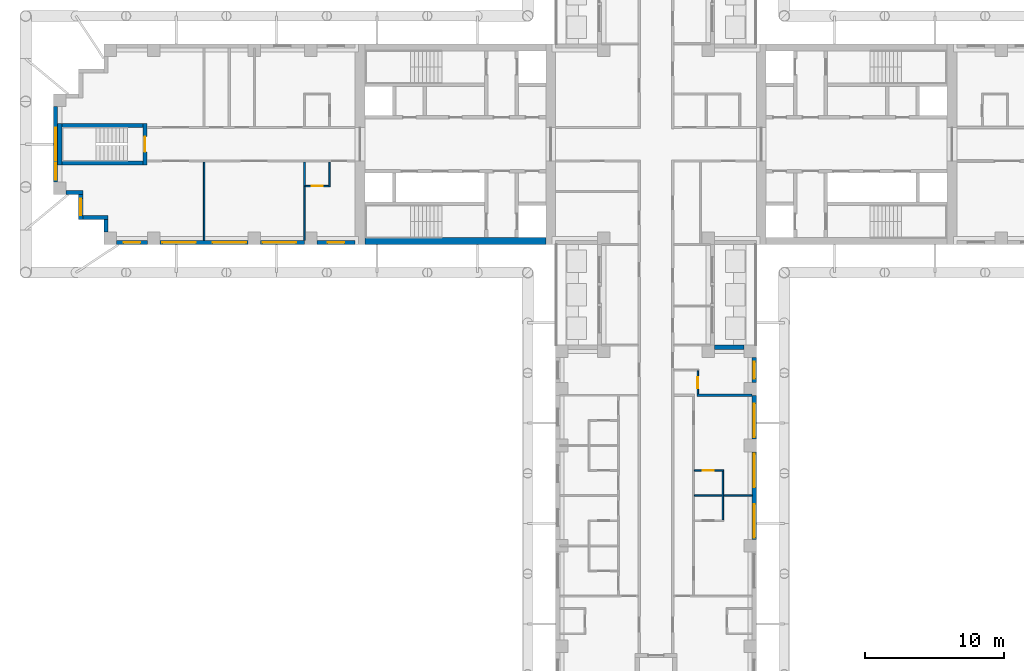
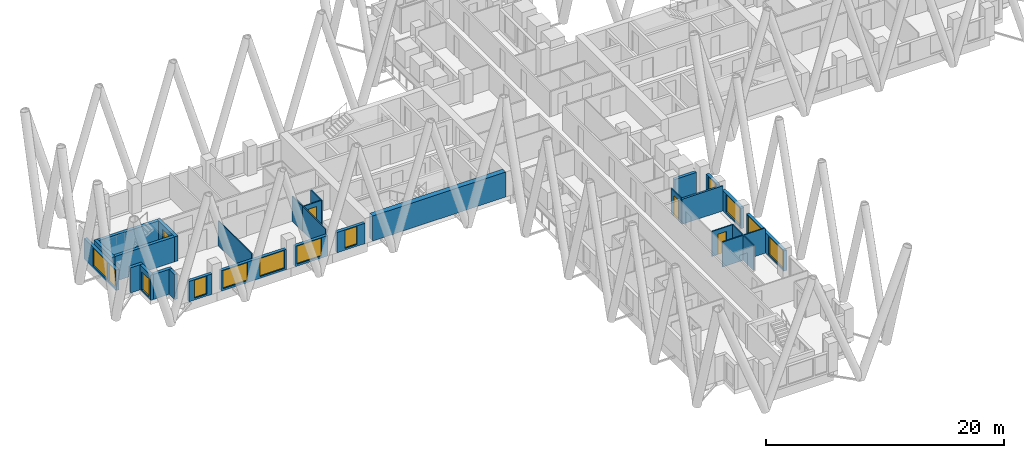
# One storey, part 5 of 14: 28 walls, 12 windows, 4 doors, 16 openings.
"""IFC4 building model written with IfcOpenShell, lengths in metres."""

from ifc_helpers import new_model, si_unit, direction, frame, frame_2d, origin, place, context, subcontext, project, spatial, rectangle, extrude, material, layer, layer_set, type_object, element, fill, save


model = new_model("IFC4")

# Units and contexts
model_context = context("Model", 3, precision=1e-05, world=origin(), true_north=direction((0.0, 1.0)))
body_context = subcontext(model_context, "Body", "Model", "MODEL_VIEW")
ifc_project = project(units=[si_unit("LENGTHUNIT", "METRE"), si_unit("AREAUNIT", "SQUARE_METRE"), si_unit("VOLUMEUNIT", "CUBIC_METRE"), si_unit("PLANEANGLEUNIT", "RADIAN"), si_unit("MASSUNIT", "GRAM", prefix="KILO")], contexts=[model_context])

# Site, building, storey
site_placement = place(None, origin())
site = spatial("IfcSite", under=ifc_project, at=site_placement, CompositionType="ELEMENT")
building_placement = place(site_placement, origin())
building = spatial("IfcBuilding", under=site, at=building_placement, Name="Fustian Cross Tower", CompositionType="ELEMENT")
storey_placement = place(building_placement, frame((0.0, 0.0, 90.89990234375)))
storey = spatial("IfcBuildingStorey", under=building, at=storey_placement, Name="L28", CompositionType="ELEMENT", Elevation=90.89990234375)

# Walls
ifc_material_1 = material(Name="Concrete C70/85", Category="concrete")
ifc_layer_1 = layer(ifc_material_1, 0.5)
ifc_layer_set_1 = layer_set([ifc_layer_1], Name="Concrete C70/85")
wall_type_1 = type_object("IfcWallType", Name="CORE FACADE WALL 500 C70/85", PredefinedType="SHEAR", material=ifc_layer_set_1)
wall_1_placement = place(storey_placement, frame((-7.89990234375, -6.949951171875, 0.0), z_axis=(0.0, 0.0, 1.0), x_axis=(-1.0, 0.0, 0.0)))
element("IfcWall", 1, at=wall_1_placement, inside=storey, type_object=wall_type_1, Name="Core facade wall", PredefinedType="SHEAR", context=body_context, shape_type="SweptSolid", body=[
    extrude(rectangle(XDim=12.9501953125, YDim=0.5, at=frame_2d((6.47509765625, 0.0))), origin(), (0.0, 0.0, 1.0), 2.5751953125),
])
ifc_material_2 = material(Name="Plasterboard on steel stud", Category="steel")
ifc_layer_2 = layer(ifc_material_2, 0.10009765625)
ifc_layer_set_2 = layer_set([ifc_layer_2], Name="Plasterboard on steel stud")
wall_type_2 = type_object("IfcWallType", Name="PARTITION 100 STUD", PredefinedType="PARTITIONING", material=ifc_layer_set_2)
wall_2_placement = place(storey_placement, frame((-32.39990234375, -6.89990234375, 0.0), z_axis=(0.0, 0.0, 1.0), x_axis=(0.0, 1.0, 0.0)))
element("IfcWall", 2, at=wall_2_placement, inside=storey, type_object=wall_type_2, Name="Partition 3", PredefinedType="PARTITIONING", context=body_context, shape_type="SweptSolid", body=[
    extrude(rectangle(XDim=5.625, YDim=0.10009765625, at=frame_2d((2.8125, 0.0))), origin(), (0.0, 0.0, 1.0), 2.5751953125),
])
wall_3_placement = place(storey_placement, frame((-25.199951171875, -6.89990234375, 0.0), z_axis=(0.0, 0.0, 1.0), x_axis=(0.0, 1.0, 0.0)))
element("IfcWall", 3, at=wall_3_placement, inside=storey, type_object=wall_type_2, Name="Partition 7", PredefinedType="PARTITIONING", context=body_context, shape_type="SweptSolid", body=[
    extrude(rectangle(XDim=3.89990234375, YDim=0.10009765625, at=frame_2d((1.949951171875, 0.0))), origin(), (0.0, 0.0, 1.0), 2.5751953125),
])

# Wall, opening, door
wall_4_placement = place(storey_placement, frame((-25.137451171875, -3.0, 0.0), z_axis=(0.0, 0.0, 1.0), x_axis=(1.0, 0.0, 0.0)))
wall_4 = element("IfcWall", 4, at=wall_4_placement, inside=storey, type_object=wall_type_2, Name="Partition 9", PredefinedType="PARTITIONING", context=body_context, shape_type="SweptSolid", body=[
    extrude(rectangle(XDim=1.6875, YDim=0.10009765625, at=frame_2d((0.84375, 0.0))), origin(), (0.0, 0.0, 1.0), 2.5751953125),
])
opening_1_placement = place(wall_4_placement, frame((0.4375, 0.0, 0.0)))
opening_1 = element("IfcOpeningElement", 5, at=opening_1_placement, cuts=wall_4, Name="Opening D13023", PredefinedType="OPENING", context=body_context, shape_type="SweptSolid", body=[
    extrude(rectangle(XDim=0.800048828125, YDim=2.10009765625, at=frame_2d((0.39990234375, 1.050048828125))), frame((0.0, 0.06005859375, 0.0), z_axis=(0.0, -1.0, 0.0), x_axis=(1.0, 0.0, 0.0)), (0.0, 0.0, 1.0), 0.1201171875),
])
ifc_material_3 = material(Name="Painted timber", Category="wood")
door_type_1 = type_object("IfcDoorType", Name="SWING DOOR 800", OperationType="SINGLE_SWING_LEFT", PredefinedType="DOOR", material=ifc_material_3)
door_1_placement = place(opening_1_placement, origin())
door_1 = element("IfcDoor", 6, at=door_1_placement, inside=storey, type_object=door_type_1, Name="Door D13023", OperationType="SINGLE_SWING_RIGHT", OverallHeight=2.10009765625, OverallWidth=0.800048828125, PredefinedType="DOOR", context=body_context, shape_type="SweptSolid", body=[
    extrude(rectangle(XDim=0.800048828125, YDim=2.10009765625, at=frame_2d((0.39990234375, 1.050048828125))), frame((0.0, 0.02490234375, 0.0), z_axis=(0.0, -1.0, 0.0), x_axis=(1.0, 0.0, 0.0)), (0.0, 0.0, 1.0), 0.050048828125),
])
fill(opening_1, door_1)

# Walls
wall_5_placement = place(storey_placement, frame((-23.39990234375, -3.050048828125, 0.0), z_axis=(0.0, 0.0, 1.0), x_axis=(0.0, 1.0, 0.0)))
element("IfcWall", 7, at=wall_5_placement, inside=storey, type_object=wall_type_2, Name="Partition 12", PredefinedType="PARTITIONING", context=body_context, shape_type="SweptSolid", body=[
    extrude(rectangle(XDim=1.775146484375, YDim=0.10009765625, at=frame_2d((0.8876953125, 0.0))), origin(), (0.0, 0.0, 1.0), 2.5751953125),
])
wall_6_placement = place(storey_placement, frame((2.75, -25.199951171875, 0.0), z_axis=(0.0, 0.0, 1.0), x_axis=(1.0, 0.0, 0.0)))
element("IfcWall", 8, at=wall_6_placement, inside=storey, type_object=wall_type_2, Name="Partition 58", PredefinedType="PARTITIONING", context=body_context, shape_type="SweptSolid", body=[
    extrude(rectangle(XDim=4.14990234375, YDim=0.10009765625, at=frame_2d((2.074951171875, 0.0))), origin(), (0.0, 0.0, 1.0), 2.5751953125),
])

# Wall, opening, door
wall_7_placement = place(storey_placement, frame((2.75, -23.39990234375, 0.0), z_axis=(0.0, 0.0, 1.0), x_axis=(1.0, 0.0, 0.0)))
wall_7 = element("IfcWall", 9, at=wall_7_placement, inside=storey, type_object=wall_type_2, Name="Partition 59", PredefinedType="PARTITIONING", context=body_context, shape_type="SweptSolid", body=[
    extrude(rectangle(XDim=2.10009765625, YDim=0.10009765625, at=frame_2d((1.050048828125, 0.0))), origin(), (0.0, 0.0, 1.0), 2.5751953125),
])
opening_2_placement = place(wall_7_placement, frame((0.60009765625, 0.0, 0.0)))
opening_2 = element("IfcOpeningElement", 10, at=opening_2_placement, cuts=wall_7, Name="Opening D13041", PredefinedType="OPENING", context=body_context, shape_type="SweptSolid", body=[
    extrude(rectangle(XDim=0.800048828125, YDim=2.10009765625, at=frame_2d((0.39990234375, 1.050048828125))), frame((0.0, 0.06005859375, 0.0), z_axis=(0.0, -1.0, 0.0), x_axis=(1.0, 0.0, 0.0)), (0.0, 0.0, 1.0), 0.1201171875),
])
door_2_placement = place(opening_2_placement, frame((0.800048828125, 0.0, 0.0), z_axis=(0.0, 0.0, 1.0), x_axis=(-1.0, 0.0, 0.0)))
door_2 = element("IfcDoor", 11, at=door_2_placement, inside=storey, type_object=door_type_1, Name="Door D13041", OperationType="SINGLE_SWING_RIGHT", OverallHeight=2.10009765625, OverallWidth=0.800048828125, PredefinedType="DOOR", context=body_context, shape_type="SweptSolid", body=[
    extrude(rectangle(XDim=0.800048828125, YDim=2.10009765625, at=frame_2d((0.39990234375, 1.050048828125))), frame((0.0, 0.02490234375, 0.0), z_axis=(0.0, -1.0, 0.0), x_axis=(1.0, 0.0, 0.0)), (0.0, 0.0, 1.0), 0.050048828125),
])
fill(opening_2, door_2)

wall_8_placement = place(storey_placement, frame((3.0, -17.89990234375, 0.0), z_axis=(0.0, 0.0, 1.0), x_axis=(0.0, 1.0, 0.0)))
wall_8 = element("IfcWall", 12, at=wall_8_placement, inside=storey, type_object=wall_type_2, Name="Partition 60", PredefinedType="PARTITIONING", context=body_context, shape_type="SweptSolid", body=[
    extrude(rectangle(XDim=1.64990234375, YDim=0.10009765625, at=frame_2d((0.824951171875, 0.0))), origin(), (0.0, 0.0, 1.0), 2.5751953125),
])
opening_3_placement = place(wall_8_placement, frame((0.39990234375, 0.0, 0.0)))
opening_3 = element("IfcOpeningElement", 13, at=opening_3_placement, cuts=wall_8, Name="Opening D13034", PredefinedType="OPENING", context=body_context, shape_type="SweptSolid", body=[
    extrude(rectangle(XDim=0.800048828125, YDim=2.10009765625, at=frame_2d((0.39990234375, 1.050048828125))), frame((0.0, 0.06005859375, 0.0), z_axis=(0.0, -1.0, 0.0), x_axis=(1.0, 0.0, 0.0)), (0.0, 0.0, 1.0), 0.1201171875),
])
door_3_placement = place(opening_3_placement, origin())
door_3 = element("IfcDoor", 14, at=door_3_placement, inside=storey, type_object=door_type_1, Name="Door D13034", OperationType="SINGLE_SWING_RIGHT", OverallHeight=2.10009765625, OverallWidth=0.800048828125, PredefinedType="DOOR", context=body_context, shape_type="SweptSolid", body=[
    extrude(rectangle(XDim=0.800048828125, YDim=2.10009765625, at=frame_2d((0.39990234375, 1.050048828125))), frame((0.0, 0.02490234375, 0.0), z_axis=(0.0, -1.0, 0.0), x_axis=(1.0, 0.0, 0.0)), (0.0, 0.0, 1.0), 0.050048828125),
])
fill(opening_3, door_3)

# Walls
wall_9_placement = place(storey_placement, frame((4.800048828125, -26.949951171875, 0.0), z_axis=(0.0, 0.0, 1.0), x_axis=(0.0, 1.0, 0.0)))
element("IfcWall", 15, at=wall_9_placement, inside=storey, type_object=wall_type_2, Name="Partition 65", PredefinedType="PARTITIONING", context=body_context, shape_type="SweptSolid", body=[
    extrude(rectangle(XDim=3.5, YDim=0.10009765625, at=frame_2d((1.75, 0.0))), origin(), (0.0, 0.0, 1.0), 2.5751953125),
])
ifc_material_4 = material(Name="Plasterboard on steel stud", Category="steel")
ifc_layer_3 = layer(ifc_material_4, 0.199951171875)
ifc_layer_set_3 = layer_set([ifc_layer_3], Name="Plasterboard on steel stud")
wall_type_3 = type_object("IfcWallType", Name="PARTY WALL 200 EI 60", PredefinedType="PARTITIONING", material=ifc_layer_set_3)
wall_10_placement = place(storey_placement, frame((2.949951171875, -18.0, 0.0), z_axis=(0.0, 0.0, 1.0), x_axis=(1.0, 0.0, 0.0)))
element("IfcWall", 16, at=wall_10_placement, inside=storey, type_object=wall_type_3, Name="Partition 61", PredefinedType="PARTITIONING", context=body_context, shape_type="SweptSolid", body=[
    extrude(rectangle(XDim=3.949951171875, YDim=0.199951171875, at=frame_2d((1.97509765625, 0.0))), origin(), (0.0, 0.0, 1.0), 2.5751953125),
])

# Wall, opening, door
ifc_material_5 = material(Name="Concrete C50/60", Category="concrete")
ifc_layer_4 = layer(ifc_material_5, 0.300048828125)
ifc_layer_set_4 = layer_set([ifc_layer_4], Name="Concrete C50/60")
wall_type_4 = type_object("IfcWallType", Name="STAIR ENCLOSURE WALL 300 C50/60", PredefinedType="SHEAR", material=ifc_layer_set_4)
wall_11_placement = place(storey_placement, frame((-36.64990234375, -1.5, 0.0), z_axis=(0.0, 0.0, 1.0), x_axis=(0.0, 1.0, 0.0)))
wall_11 = element("IfcWall", 17, at=wall_11_placement, inside=storey, type_object=wall_type_4, Name="Stair enclosure wall", PredefinedType="SHEAR", context=body_context, shape_type="SweptSolid", body=[
    extrude(rectangle(XDim=3.0, YDim=0.300048828125, at=frame_2d((1.5, 0.0))), origin(), (0.0, 0.0, 1.0), 2.5751953125),
])
opening_4_placement = place(wall_11_placement, frame((0.949951171875, 0.0, 0.0)))
opening_4 = element("IfcOpeningElement", 18, at=opening_4_placement, cuts=wall_11, Name="Opening CD-11-33", PredefinedType="OPENING", context=body_context, shape_type="SweptSolid", body=[
    extrude(rectangle(XDim=1.10009765625, YDim=2.10009765625, at=frame_2d((0.550048828125, 1.050048828125))), frame((0.0, 0.159912109375, 0.0), z_axis=(0.0, -1.0, 0.0), x_axis=(1.0, 0.0, 0.0)), (0.0, 0.0, 1.0), 0.320068359375),
])
ifc_material_6 = material(Name="Steel", Category="steel")
door_type_2 = type_object("IfcDoorType", Name="FIRE DOOR FD60S 1100X2100", OperationType="SINGLE_SWING_LEFT", PredefinedType="DOOR", material=ifc_material_6)
door_4_placement = place(opening_4_placement, origin())
door_4 = element("IfcDoor", 19, at=door_4_placement, inside=storey, type_object=door_type_2, Name="Core door CD-11-33", OperationType="SINGLE_SWING_LEFT", OverallHeight=2.10009765625, OverallWidth=1.10009765625, PredefinedType="DOOR", context=body_context, shape_type="SweptSolid", body=[
    extrude(rectangle(XDim=1.10009765625, YDim=2.10009765625, at=frame_2d((0.550048828125, 1.050048828125))), frame((0.0, 0.02490234375, 0.0), z_axis=(0.0, -1.0, 0.0), x_axis=(1.0, 0.0, 0.0)), (0.0, 0.0, 1.0), 0.050048828125),
])
fill(opening_4, door_4)

# Walls
wall_12_placement = place(storey_placement, frame((-42.75, -1.5, 0.0), z_axis=(0.0, 0.0, 1.0), x_axis=(0.0, 1.0, 0.0)))
element("IfcWall", 20, at=wall_12_placement, inside=storey, type_object=wall_type_4, Name="Stair enclosure wall", PredefinedType="SHEAR", context=body_context, shape_type="SweptSolid", body=[
    extrude(rectangle(XDim=3.0, YDim=0.300048828125, at=frame_2d((1.5, 0.0))), origin(), (0.0, 0.0, 1.0), 2.5751953125),
])
for number, where, z_axis, x_axis, name in (
    (21, (-36.800048828125, -1.35009765625, 0.0), (0.0, 0.0, 1.0), (-1.0, 0.0, 0.0), "Stair enclosure wall"),
    (22, (-36.800048828125, 1.35009765625, 0.0), (0.0, 0.0, 1.0), (-1.0, 0.0, 0.0), "Stair enclosure wall"),
):
    element("IfcWall", number, at=place(storey_placement, frame(where, z_axis=z_axis, x_axis=x_axis)), inside=storey, type_object=wall_type_4, Name=name, PredefinedType="SHEAR", context=body_context, shape_type="SweptSolid", body=[
        extrude(rectangle(XDim=5.800048828125, YDim=0.300048828125, at=frame_2d((2.89990234375, 0.0))), origin(), (0.0, 0.0, 1.0), 2.5751953125),
    ])
ifc_material_7 = material(Name="Plasterboard on steel stud", Category="steel")
ifc_layer_5 = layer(ifc_material_7, 0.125)
ifc_layer_set_5 = layer_set([ifc_layer_5], Name="Plasterboard on steel stud")
wall_type_5 = type_object("IfcWallType", Name="WET WALL 125 STUD", PredefinedType="PARTITIONING", material=ifc_layer_set_5)
wall_13_placement = place(storey_placement, frame((-25.199951171875, -3.0, 0.0), z_axis=(0.0, 0.0, 1.0), x_axis=(0.0, 1.0, 0.0)))
element("IfcWall", 23, at=wall_13_placement, inside=storey, type_object=wall_type_5, Name="Partition 8", PredefinedType="PARTITIONING", context=body_context, shape_type="SweptSolid", body=[
    extrude(rectangle(XDim=1.72509765625, YDim=0.125, at=frame_2d((0.862548828125, 0.0))), origin(), (0.0, 0.0, 1.0), 2.5751953125),
])

# Wall, openings, windows
ifc_material_8 = material(Name="Dark aluminium cladding on insulated backing wall", Category="aluminium")
ifc_layer_6 = layer(ifc_material_8, 0.300048828125)
ifc_layer_set_6 = layer_set([ifc_layer_6], Name="Dark aluminium cladding on insulated backing wall")
wall_type_6 = type_object("IfcWallType", Name="XW1 EXTERNAL WALL 300", PredefinedType="SOLIDWALL", material=ifc_layer_set_6)
wall_14_placement = place(storey_placement, frame((-43.050048828125, 2.699951171875, 0.0), z_axis=(0.0, 0.0, 1.0), x_axis=(0.0, -1.0, 0.0)))
wall_14 = element("IfcWall", 24, at=wall_14_placement, inside=storey, type_object=wall_type_6, Name="External wall", PredefinedType="SOLIDWALL", context=body_context, shape_type="SweptSolid", body=[
    extrude(rectangle(XDim=5.39990234375, YDim=0.300048828125, at=frame_2d((2.699951171875, 0.0))), origin(), (0.0, 0.0, 1.0), 2.10009765625),
])
opening_5_placement = place(wall_14_placement, frame((1.5, 0.0, 0.199951171875)))
opening_5 = element("IfcOpeningElement", 25, at=opening_5_placement, cuts=wall_14, Name="Opening WN1", PredefinedType="OPENING", context=body_context, shape_type="SweptSolid", body=[
    extrude(rectangle(XDim=2.39990234375, YDim=1.85009765625, at=frame_2d((1.199951171875, 0.925048828125))), frame((0.0, 0.159912109375, 0.0), z_axis=(0.0, -1.0, 0.0), x_axis=(1.0, 0.0, 0.0)), (0.0, 0.0, 1.0), 0.320068359375),
])
opening_6_placement = place(wall_14_placement, frame((4.050048828125, 0.0, 0.199951171875)))
opening_6 = element("IfcOpeningElement", 26, at=opening_6_placement, cuts=wall_14, Name="Opening WN3", PredefinedType="OPENING", context=body_context, shape_type="SweptSolid", body=[
    extrude(rectangle(XDim=1.199951171875, YDim=1.85009765625, at=frame_2d((0.60009765625, 0.925048828125))), frame((0.0, 0.159912109375, 0.0), z_axis=(0.0, -1.0, 0.0), x_axis=(1.0, 0.0, 0.0)), (0.0, 0.0, 1.0), 0.320068359375),
])
ifc_material_9 = material(Name="Dark anodised aluminium and double glazing", Category="aluminium")
window_type_1 = type_object("IfcWindowType", Name="WN1 WINDOW 2400X1850", PartitioningType="SINGLE_PANEL", PredefinedType="WINDOW", material=ifc_material_9)
window_1_placement = place(opening_5_placement, origin())
window_1 = element("IfcWindow", 27, at=window_1_placement, inside=storey, type_object=window_type_1, Name="Window", OverallHeight=1.85009765625, OverallWidth=2.39990234375, PartitioningType="SINGLE_PANEL", PredefinedType="WINDOW", context=body_context, shape_type="SweptSolid", body=[
    extrude(rectangle(XDim=2.39990234375, YDim=1.85009765625, at=frame_2d((1.199951171875, 0.925048828125))), frame((0.0, 0.030029296875, 0.0), z_axis=(0.0, -1.0, 0.0), x_axis=(1.0, 0.0, 0.0)), (0.0, 0.0, 1.0), 0.06005859375),
])
fill(opening_5, window_1)
ifc_material_10 = material(Name="Dark anodised aluminium and double glazing", Category="aluminium")
window_type_2 = type_object("IfcWindowType", Name="WN3 WINDOW 1200X1850", PartitioningType="SINGLE_PANEL", PredefinedType="WINDOW", material=ifc_material_10)
window_2_placement = place(opening_6_placement, origin())
window_2 = element("IfcWindow", 28, at=window_2_placement, inside=storey, type_object=window_type_2, Name="Window", OverallHeight=1.85009765625, OverallWidth=1.199951171875, PartitioningType="SINGLE_PANEL", PredefinedType="WINDOW", context=body_context, shape_type="SweptSolid", body=[
    extrude(rectangle(XDim=1.199951171875, YDim=1.85009765625, at=frame_2d((0.60009765625, 0.925048828125))), frame((0.0, 0.030029296875, 0.0), z_axis=(0.0, -1.0, 0.0), x_axis=(1.0, 0.0, 0.0)), (0.0, 0.0, 1.0), 0.06005859375),
])
fill(opening_6, window_2)

# Wall
wall_15_placement = place(storey_placement, frame((-42.300048828125, -3.449951171875, 0.0), z_axis=(0.0, 0.0, 1.0), x_axis=(1.0, 0.0, 0.0)))
element("IfcWall", 29, at=wall_15_placement, inside=storey, type_object=wall_type_6, Name="External wall", PredefinedType="SOLIDWALL", context=body_context, shape_type="SweptSolid", body=[
    extrude(rectangle(XDim=1.199951171875, YDim=0.300048828125, at=frame_2d((0.60009765625, 0.0))), origin(), (0.0, 0.0, 1.0), 2.5751953125),
])

# Wall, opening, window
wall_16_placement = place(storey_placement, frame((-41.25, -3.60009765625, 0.0), z_axis=(0.0, 0.0, 1.0), x_axis=(0.0, -1.0, 0.0)))
wall_16 = element("IfcWall", 30, at=wall_16_placement, inside=storey, type_object=wall_type_6, Name="External wall", PredefinedType="SOLIDWALL", context=body_context, shape_type="SweptSolid", body=[
    extrude(rectangle(XDim=1.7998046875, YDim=0.300048828125, at=frame_2d((0.89990234375, 0.0))), origin(), (0.0, 0.0, 1.0), 2.5751953125),
])
opening_7_placement = place(wall_16_placement, frame((0.300048828125, 0.0, 0.199951171875)))
opening_7 = element("IfcOpeningElement", 31, at=opening_7_placement, cuts=wall_16, Name="Opening WN3", PredefinedType="OPENING", context=body_context, shape_type="SweptSolid", body=[
    extrude(rectangle(XDim=1.199951171875, YDim=1.85009765625, at=frame_2d((0.60009765625, 0.925048828125))), frame((0.0, 0.159912109375, 0.0), z_axis=(0.0, -1.0, 0.0), x_axis=(1.0, 0.0, 0.0)), (0.0, 0.0, 1.0), 0.320068359375),
])
window_3_placement = place(opening_7_placement, origin())
window_3 = element("IfcWindow", 32, at=window_3_placement, inside=storey, type_object=window_type_2, Name="Window", OverallHeight=1.85009765625, OverallWidth=1.199951171875, PartitioningType="SINGLE_PANEL", PredefinedType="WINDOW", context=body_context, shape_type="SweptSolid", body=[
    extrude(rectangle(XDim=1.199951171875, YDim=1.85009765625, at=frame_2d((0.60009765625, 0.925048828125))), frame((0.0, 0.030029296875, 0.0), z_axis=(0.0, -1.0, 0.0), x_axis=(1.0, 0.0, 0.0)), (0.0, 0.0, 1.0), 0.06005859375),
])
fill(opening_7, window_3)

# Walls
wall_17_placement = place(storey_placement, frame((-41.10009765625, -5.25, 0.0), z_axis=(0.0, 0.0, 1.0), x_axis=(1.0, 0.0, 0.0)))
element("IfcWall", 33, at=wall_17_placement, inside=storey, type_object=wall_type_6, Name="External wall", PredefinedType="SOLIDWALL", context=body_context, shape_type="SweptSolid", body=[
    extrude(rectangle(XDim=1.800048828125, YDim=0.300048828125, at=frame_2d((0.89990234375, 0.0))), origin(), (0.0, 0.0, 1.0), 2.5751953125),
])
wall_18_placement = place(storey_placement, frame((-39.449951171875, -5.39990234375, 0.0), z_axis=(0.0, 0.0, 1.0), x_axis=(0.0, -1.0, 0.0)))
element("IfcWall", 34, at=wall_18_placement, inside=storey, type_object=wall_type_6, Name="External wall", PredefinedType="SOLIDWALL", context=body_context, shape_type="SweptSolid", body=[
    extrude(rectangle(XDim=0.900146484375, YDim=0.300048828125, at=frame_2d((0.4501953125, 0.0))), origin(), (0.0, 0.0, 1.0), 2.5751953125),
])

# Wall, opening, window
wall_19_placement = place(storey_placement, frame((-38.699951171875, -7.050048828125, 0.0), z_axis=(0.0, 0.0, 1.0), x_axis=(1.0, 0.0, 0.0)))
wall_19 = element("IfcWall", 35, at=wall_19_placement, inside=storey, type_object=wall_type_6, Name="External wall", PredefinedType="SOLIDWALL", context=body_context, shape_type="SweptSolid", body=[
    extrude(rectangle(XDim=2.25, YDim=0.300048828125, at=frame_2d((1.125, 0.0))), origin(), (0.0, 0.0, 1.0), 2.10009765625),
])
opening_8_placement = place(wall_19_placement, frame((0.52490234375, 0.0, 0.199951171875)))
opening_8 = element("IfcOpeningElement", 36, at=opening_8_placement, cuts=wall_19, Name="Opening WN3", PredefinedType="OPENING", context=body_context, shape_type="SweptSolid", body=[
    extrude(rectangle(XDim=1.199951171875, YDim=1.85009765625, at=frame_2d((0.60009765625, 0.925048828125))), frame((0.0, 0.159912109375, 0.0), z_axis=(0.0, -1.0, 0.0), x_axis=(1.0, 0.0, 0.0)), (0.0, 0.0, 1.0), 0.320068359375),
])
window_4_placement = place(opening_8_placement, origin())
window_4 = element("IfcWindow", 37, at=window_4_placement, inside=storey, type_object=window_type_2, Name="Window", OverallHeight=1.85009765625, OverallWidth=1.199951171875, PartitioningType="SINGLE_PANEL", PredefinedType="WINDOW", context=body_context, shape_type="SweptSolid", body=[
    extrude(rectangle(XDim=1.199951171875, YDim=1.85009765625, at=frame_2d((0.60009765625, 0.925048828125))), frame((0.0, 0.030029296875, 0.0), z_axis=(0.0, -1.0, 0.0), x_axis=(1.0, 0.0, 0.0)), (0.0, 0.0, 1.0), 0.06005859375),
])
fill(opening_8, window_4)

# Wall, openings, windows
wall_20_placement = place(storey_placement, frame((-35.550048828125, -7.050048828125, 0.0), z_axis=(0.0, 0.0, 1.0), x_axis=(1.0, 0.0, 0.0)))
wall_20 = element("IfcWall", 38, at=wall_20_placement, inside=storey, type_object=wall_type_6, Name="External wall", PredefinedType="SOLIDWALL", context=body_context, shape_type="SweptSolid", body=[
    extrude(rectangle(XDim=6.300048828125, YDim=0.300048828125, at=frame_2d((3.14990234375, 0.0))), origin(), (0.0, 0.0, 1.0), 2.10009765625),
])
opening_9_placement = place(wall_20_placement, frame((0.14990234375, 0.0, 0.199951171875)))
opening_9 = element("IfcOpeningElement", 39, at=opening_9_placement, cuts=wall_20, Name="Opening WN1", PredefinedType="OPENING", context=body_context, shape_type="SweptSolid", body=[
    extrude(rectangle(XDim=2.39990234375, YDim=1.85009765625, at=frame_2d((1.199951171875, 0.925048828125))), frame((0.0, 0.159912109375, 0.0), z_axis=(0.0, -1.0, 0.0), x_axis=(1.0, 0.0, 0.0)), (0.0, 0.0, 1.0), 0.320068359375),
])
opening_10_placement = place(wall_20_placement, frame((3.75, 0.0, 0.199951171875)))
opening_10 = element("IfcOpeningElement", 40, at=opening_10_placement, cuts=wall_20, Name="Opening WN1", PredefinedType="OPENING", context=body_context, shape_type="SweptSolid", body=[
    extrude(rectangle(XDim=2.39990234375, YDim=1.85009765625, at=frame_2d((1.199951171875, 0.925048828125))), frame((0.0, 0.159912109375, 0.0), z_axis=(0.0, -1.0, 0.0), x_axis=(1.0, 0.0, 0.0)), (0.0, 0.0, 1.0), 0.320068359375),
])
window_5_placement = place(opening_9_placement, origin())
window_5 = element("IfcWindow", 41, at=window_5_placement, inside=storey, type_object=window_type_1, Name="Window", OverallHeight=1.85009765625, OverallWidth=2.39990234375, PartitioningType="SINGLE_PANEL", PredefinedType="WINDOW", context=body_context, shape_type="SweptSolid", body=[
    extrude(rectangle(XDim=2.39990234375, YDim=1.85009765625, at=frame_2d((1.199951171875, 0.925048828125))), frame((0.0, 0.030029296875, 0.0), z_axis=(0.0, -1.0, 0.0), x_axis=(1.0, 0.0, 0.0)), (0.0, 0.0, 1.0), 0.06005859375),
])
fill(opening_9, window_5)
window_6_placement = place(opening_10_placement, origin())
window_6 = element("IfcWindow", 42, at=window_6_placement, inside=storey, type_object=window_type_1, Name="Window", OverallHeight=1.85009765625, OverallWidth=2.39990234375, PartitioningType="SINGLE_PANEL", PredefinedType="WINDOW", context=body_context, shape_type="SweptSolid", body=[
    extrude(rectangle(XDim=2.39990234375, YDim=1.85009765625, at=frame_2d((1.199951171875, 0.925048828125))), frame((0.0, 0.030029296875, 0.0), z_axis=(0.0, -1.0, 0.0), x_axis=(1.0, 0.0, 0.0)), (0.0, 0.0, 1.0), 0.06005859375),
])
fill(opening_10, window_6)

# Wall, opening, window
wall_21_placement = place(storey_placement, frame((-28.35009765625, -7.050048828125, 0.0), z_axis=(0.0, 0.0, 1.0), x_axis=(1.0, 0.0, 0.0)))
wall_21 = element("IfcWall", 43, at=wall_21_placement, inside=storey, type_object=wall_type_6, Name="External wall", PredefinedType="SOLIDWALL", context=body_context, shape_type="SweptSolid", body=[
    extrude(rectangle(XDim=3.150146484375, YDim=0.300048828125, at=frame_2d((1.5751953125, 0.0))), origin(), (0.0, 0.0, 1.0), 2.10009765625),
])
opening_11_placement = place(wall_21_placement, frame((0.14990234375, 0.0, 0.199951171875)))
opening_11 = element("IfcOpeningElement", 44, at=opening_11_placement, cuts=wall_21, Name="Opening WN1", PredefinedType="OPENING", context=body_context, shape_type="SweptSolid", body=[
    extrude(rectangle(XDim=2.39990234375, YDim=1.85009765625, at=frame_2d((1.199951171875, 0.925048828125))), frame((0.0, 0.159912109375, 0.0), z_axis=(0.0, -1.0, 0.0), x_axis=(1.0, 0.0, 0.0)), (0.0, 0.0, 1.0), 0.320068359375),
])
window_7_placement = place(opening_11_placement, origin())
window_7 = element("IfcWindow", 45, at=window_7_placement, inside=storey, type_object=window_type_1, Name="Window", OverallHeight=1.85009765625, OverallWidth=2.39990234375, PartitioningType="SINGLE_PANEL", PredefinedType="WINDOW", context=body_context, shape_type="SweptSolid", body=[
    extrude(rectangle(XDim=2.39990234375, YDim=1.85009765625, at=frame_2d((1.199951171875, 0.925048828125))), frame((0.0, 0.030029296875, 0.0), z_axis=(0.0, -1.0, 0.0), x_axis=(1.0, 0.0, 0.0)), (0.0, 0.0, 1.0), 0.06005859375),
])
fill(opening_11, window_7)

wall_22_placement = place(storey_placement, frame((-24.300048828125, -7.050048828125, 0.0), z_axis=(0.0, 0.0, 1.0), x_axis=(1.0, 0.0, 0.0)))
wall_22 = element("IfcWall", 46, at=wall_22_placement, inside=storey, type_object=wall_type_6, Name="External wall", PredefinedType="SOLIDWALL", context=body_context, shape_type="SweptSolid", body=[
    extrude(rectangle(XDim=2.699951171875, YDim=0.300048828125, at=frame_2d((1.35009765625, 0.0))), origin(), (0.0, 0.0, 1.0), 2.10009765625),
])
opening_12_placement = place(wall_22_placement, frame((0.75, 0.0, 0.199951171875)))
opening_12 = element("IfcOpeningElement", 47, at=opening_12_placement, cuts=wall_22, Name="Opening WN3", PredefinedType="OPENING", context=body_context, shape_type="SweptSolid", body=[
    extrude(rectangle(XDim=1.199951171875, YDim=1.85009765625, at=frame_2d((0.60009765625, 0.925048828125))), frame((0.0, 0.159912109375, 0.0), z_axis=(0.0, -1.0, 0.0), x_axis=(1.0, 0.0, 0.0)), (0.0, 0.0, 1.0), 0.320068359375),
])
window_8_placement = place(opening_12_placement, origin())
window_8 = element("IfcWindow", 48, at=window_8_placement, inside=storey, type_object=window_type_2, Name="Window", OverallHeight=1.85009765625, OverallWidth=1.199951171875, PartitioningType="SINGLE_PANEL", PredefinedType="WINDOW", context=body_context, shape_type="SweptSolid", body=[
    extrude(rectangle(XDim=1.199951171875, YDim=1.85009765625, at=frame_2d((0.60009765625, 0.925048828125))), frame((0.0, 0.030029296875, 0.0), z_axis=(0.0, -1.0, 0.0), x_axis=(1.0, 0.0, 0.0)), (0.0, 0.0, 1.0), 0.06005859375),
])
fill(opening_12, window_8)

# Wall, openings, windows
wall_23_placement = place(storey_placement, frame((7.050048828125, -28.35009765625, 0.0), z_axis=(0.0, 0.0, 1.0), x_axis=(0.0, 1.0, 0.0)))
wall_23 = element("IfcWall", 49, at=wall_23_placement, inside=storey, type_object=wall_type_6, Name="External wall", PredefinedType="SOLIDWALL", context=body_context, shape_type="SweptSolid", body=[
    extrude(rectangle(XDim=6.300048828125, YDim=0.300048828125, at=frame_2d((3.14990234375, 0.0))), origin(), (0.0, 0.0, 1.0), 2.10009765625),
])
opening_13_placement = place(wall_23_placement, frame((0.14990234375, 0.0, 0.199951171875)))
opening_13 = element("IfcOpeningElement", 50, at=opening_13_placement, cuts=wall_23, Name="Opening WN1", PredefinedType="OPENING", context=body_context, shape_type="SweptSolid", body=[
    extrude(rectangle(XDim=2.39990234375, YDim=1.85009765625, at=frame_2d((1.199951171875, 0.925048828125))), frame((0.0, 0.159912109375, 0.0), z_axis=(0.0, -1.0, 0.0), x_axis=(1.0, 0.0, 0.0)), (0.0, 0.0, 1.0), 0.320068359375),
])
opening_14_placement = place(wall_23_placement, frame((3.75, 0.0, 0.199951171875)))
opening_14 = element("IfcOpeningElement", 51, at=opening_14_placement, cuts=wall_23, Name="Opening WN1", PredefinedType="OPENING", context=body_context, shape_type="SweptSolid", body=[
    extrude(rectangle(XDim=2.39990234375, YDim=1.85009765625, at=frame_2d((1.199951171875, 0.925048828125))), frame((0.0, 0.159912109375, 0.0), z_axis=(0.0, -1.0, 0.0), x_axis=(1.0, 0.0, 0.0)), (0.0, 0.0, 1.0), 0.320068359375),
])
window_9_placement = place(opening_13_placement, origin())
window_9 = element("IfcWindow", 52, at=window_9_placement, inside=storey, type_object=window_type_1, Name="Window", OverallHeight=1.85009765625, OverallWidth=2.39990234375, PartitioningType="SINGLE_PANEL", PredefinedType="WINDOW", context=body_context, shape_type="SweptSolid", body=[
    extrude(rectangle(XDim=2.39990234375, YDim=1.85009765625, at=frame_2d((1.199951171875, 0.925048828125))), frame((0.0, 0.030029296875, 0.0), z_axis=(0.0, -1.0, 0.0), x_axis=(1.0, 0.0, 0.0)), (0.0, 0.0, 1.0), 0.06005859375),
])
fill(opening_13, window_9)
window_10_placement = place(opening_14_placement, origin())
window_10 = element("IfcWindow", 53, at=window_10_placement, inside=storey, type_object=window_type_1, Name="Window", OverallHeight=1.85009765625, OverallWidth=2.39990234375, PartitioningType="SINGLE_PANEL", PredefinedType="WINDOW", context=body_context, shape_type="SweptSolid", body=[
    extrude(rectangle(XDim=2.39990234375, YDim=1.85009765625, at=frame_2d((1.199951171875, 0.925048828125))), frame((0.0, 0.030029296875, 0.0), z_axis=(0.0, -1.0, 0.0), x_axis=(1.0, 0.0, 0.0)), (0.0, 0.0, 1.0), 0.06005859375),
])
fill(opening_14, window_10)

# Wall, opening, window
wall_24_placement = place(storey_placement, frame((7.050048828125, -21.14990234375, 0.0), z_axis=(0.0, 0.0, 1.0), x_axis=(0.0, 1.0, 0.0)))
wall_24 = element("IfcWall", 54, at=wall_24_placement, inside=storey, type_object=wall_type_6, Name="External wall", PredefinedType="SOLIDWALL", context=body_context, shape_type="SweptSolid", body=[
    extrude(rectangle(XDim=3.14990234375, YDim=0.300048828125, at=frame_2d((1.574951171875, 0.0))), origin(), (0.0, 0.0, 1.0), 2.10009765625),
])
opening_15_placement = place(wall_24_placement, frame((0.14990234375, 0.0, 0.199951171875)))
opening_15 = element("IfcOpeningElement", 55, at=opening_15_placement, cuts=wall_24, Name="Opening WN1", PredefinedType="OPENING", context=body_context, shape_type="SweptSolid", body=[
    extrude(rectangle(XDim=2.39990234375, YDim=1.85009765625, at=frame_2d((1.199951171875, 0.925048828125))), frame((0.0, 0.159912109375, 0.0), z_axis=(0.0, -1.0, 0.0), x_axis=(1.0, 0.0, 0.0)), (0.0, 0.0, 1.0), 0.320068359375),
])
window_11_placement = place(opening_15_placement, origin())
window_11 = element("IfcWindow", 56, at=window_11_placement, inside=storey, type_object=window_type_1, Name="Window", OverallHeight=1.85009765625, OverallWidth=2.39990234375, PartitioningType="SINGLE_PANEL", PredefinedType="WINDOW", context=body_context, shape_type="SweptSolid", body=[
    extrude(rectangle(XDim=2.39990234375, YDim=1.85009765625, at=frame_2d((1.199951171875, 0.925048828125))), frame((0.0, 0.030029296875, 0.0), z_axis=(0.0, -1.0, 0.0), x_axis=(1.0, 0.0, 0.0)), (0.0, 0.0, 1.0), 0.06005859375),
])
fill(opening_15, window_11)

wall_25_placement = place(storey_placement, frame((7.050048828125, -17.10009765625, 0.0), z_axis=(0.0, 0.0, 1.0), x_axis=(0.0, 1.0, 0.0)))
wall_25 = element("IfcWall", 57, at=wall_25_placement, inside=storey, type_object=wall_type_6, Name="External wall", PredefinedType="SOLIDWALL", context=body_context, shape_type="SweptSolid", body=[
    extrude(rectangle(XDim=1.800048828125, YDim=0.300048828125, at=frame_2d((0.89990234375, 0.0))), origin(), (0.0, 0.0, 1.0), 2.10009765625),
])
opening_16_placement = place(wall_25_placement, frame((0.300048828125, 0.0, 0.199951171875)))
opening_16 = element("IfcOpeningElement", 58, at=opening_16_placement, cuts=wall_25, Name="Opening WN3", PredefinedType="OPENING", context=body_context, shape_type="SweptSolid", body=[
    extrude(rectangle(XDim=1.199951171875, YDim=1.85009765625, at=frame_2d((0.60009765625, 0.925048828125))), frame((0.0, 0.159912109375, 0.0), z_axis=(0.0, -1.0, 0.0), x_axis=(1.0, 0.0, 0.0)), (0.0, 0.0, 1.0), 0.320068359375),
])
window_12_placement = place(opening_16_placement, origin())
window_12 = element("IfcWindow", 59, at=window_12_placement, inside=storey, type_object=window_type_2, Name="Window", OverallHeight=1.85009765625, OverallWidth=1.199951171875, PartitioningType="SINGLE_PANEL", PredefinedType="WINDOW", context=body_context, shape_type="SweptSolid", body=[
    extrude(rectangle(XDim=1.199951171875, YDim=1.85009765625, at=frame_2d((0.60009765625, 0.925048828125))), frame((0.0, 0.030029296875, 0.0), z_axis=(0.0, -1.0, 0.0), x_axis=(1.0, 0.0, 0.0)), (0.0, 0.0, 1.0), 0.06005859375),
])
fill(opening_16, window_12)

# Wall
wall_26_placement = place(storey_placement, frame((6.300048828125, -14.550048828125, 0.0), z_axis=(0.0, 0.0, 1.0), x_axis=(-1.0, 0.0, 0.0)))
element("IfcWall", 60, at=wall_26_placement, inside=storey, type_object=wall_type_6, Name="External wall", PredefinedType="SOLIDWALL", context=body_context, shape_type="SweptSolid", body=[
    extrude(rectangle(XDim=2.10009765625, YDim=0.300048828125, at=frame_2d((1.050048828125, 0.0))), origin(), (0.0, 0.0, 1.0), 2.10009765625),
])

save(model, "model.ifc")
